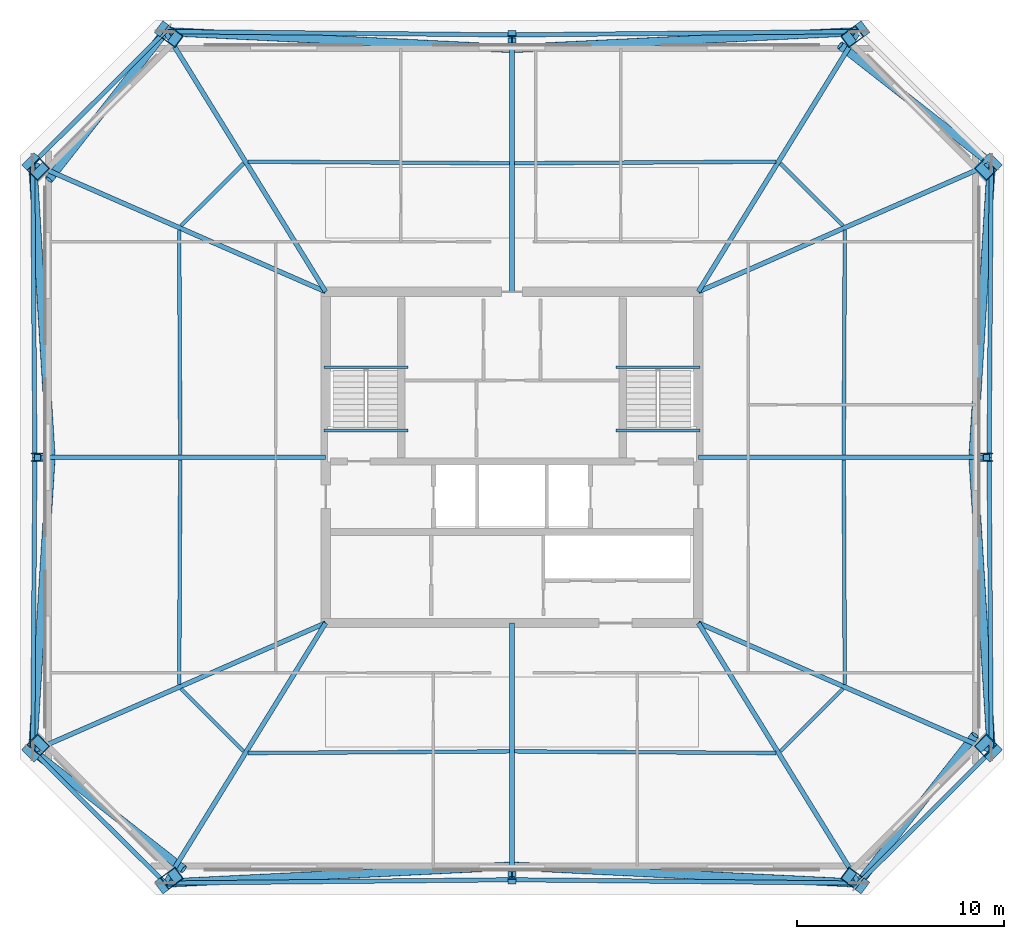
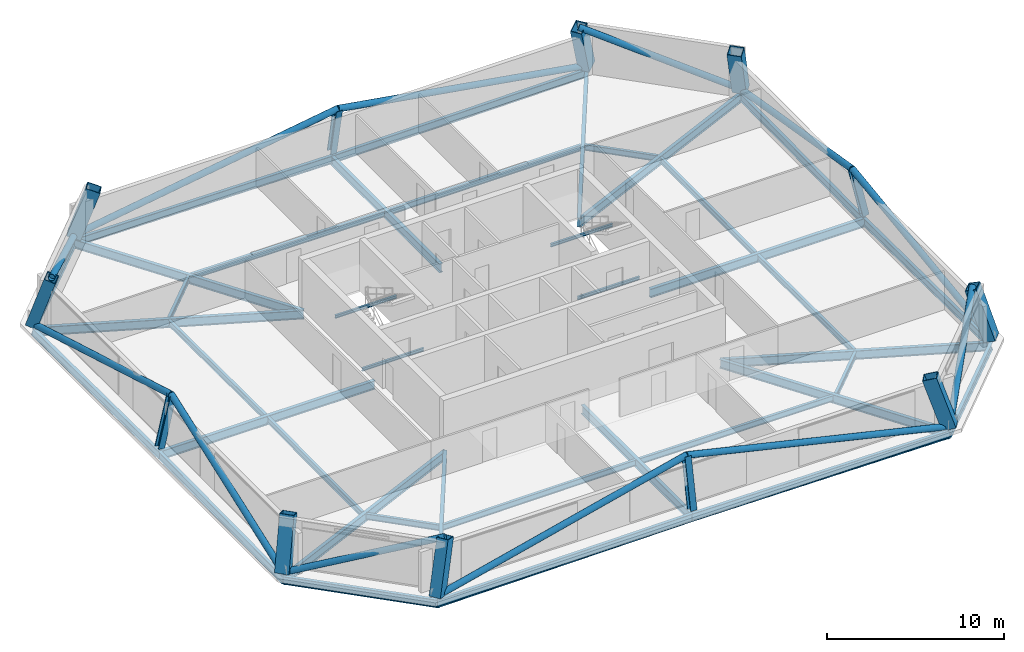
# One storey, part 1 of 6: 39 beams, 12 columns, 12 members.
"""IFC4 building model written with IfcOpenShell, lengths in metres."""

import ifcopenshell
import ifcopenshell.guid

model = None  # the IFC model being written
_history = None  # IfcOwnerHistory: only IFC2X3 demands one
_inside = {}  # id of a spatial element -> (the spatial element, [elements in it])
_under = {}  # id of a project, library or spatial element -> (it, [spatial elements below it])
_declared = {}  # id of a project -> (the project, [libraries it declares])
_typed = {}  # id of a type object -> (the type object, [elements of that type])
_made_of = {}  # id of a material, layer set ... -> (it, [elements and type objects made of it])


def new_model(schema):
    """Start an empty IFC model of exactly this schema.

    Asked for "IFC4X3", IfcOpenShell would pick the latest addendum, in which some entities
    have other attributes; the version numbers below select the first issue.
    IFC2X3 requires an IfcOwnerHistory on every rooted entity: one is made here for all.
    """
    global model, _history
    if schema == "IFC4X3":
        model = ifcopenshell.file(schema_version=(4, 3, 0, 0))
    else:
        model = ifcopenshell.file(schema=schema)
    _inside.clear()
    _under.clear()
    _declared.clear()
    _typed.clear()
    _made_of.clear()
    _history = None
    if model.schema == "IFC2X3":
        org = make("IfcOrganization", Name="unknown")
        user = make(
            "IfcPersonAndOrganization",
            ThePerson=make("IfcPerson", FamilyName="unknown"),
            TheOrganization=org,
        )
        app = make(
            "IfcApplication",
            ApplicationDeveloper=org,
            Version="unknown",
            ApplicationFullName="unknown",
            ApplicationIdentifier="unknown",
        )
        _history = make(
            "IfcOwnerHistory",
            OwningUser=user,
            OwningApplication=app,
            ChangeAction="ADDED",
            CreationDate=0,
        )
    return model


def make(cls, **values):
    """One entity of the class cls with the attributes given. An attribute that is None is left unset."""
    return model.create_entity(
        cls, **{name: value for name, value in values.items() if value is not None}
    )


def rooted(cls, **values):
    """An entity with a GlobalId (a new one), such as an element, a storey or a relation."""
    return make(cls, GlobalId=ifcopenshell.guid.new(), OwnerHistory=_history, **values)


def si_unit(unit_type, name, prefix=None):
    """IfcSIUnit, for example si_unit("LENGTHUNIT", "METRE", prefix="MILLI")."""
    return make("IfcSIUnit", UnitType=unit_type, Prefix=prefix, Name=name)


def assignment(units):
    """IfcUnitAssignment: the units of a project."""
    return None if units is None else make("IfcUnitAssignment", Units=units)


def point(xyz):
    """IfcCartesianPoint."""
    return None if xyz is None else make("IfcCartesianPoint", Coordinates=xyz)


def direction(xyz):
    """IfcDirection."""
    return None if xyz is None else make("IfcDirection", DirectionRatios=xyz)


def frame(location, z_axis=None, x_axis=None):
    """IfcAxis2Placement3D, a coordinate frame: its origin and axes. An axis left out is left unset."""
    return make(
        "IfcAxis2Placement3D",
        Location=point(location),
        Axis=direction(z_axis),
        RefDirection=direction(x_axis),
    )


def frame_2d(location, x_axis=None):
    """IfcAxis2Placement2D, a coordinate frame in the plane: its origin and x axis."""
    return make(
        "IfcAxis2Placement2D", Location=point(location), RefDirection=direction(x_axis)
    )


def origin():
    """The frame at (0, 0, 0) with its axes left unset."""
    return frame((0.0, 0.0, 0.0))


def origin_2d():
    """The frame at (0, 0) in the plane with its x axis left unset."""
    return frame_2d((0.0, 0.0))


def place(relative_to, where):
    """IfcLocalPlacement: puts the frame where relative to a parent placement (None: the world)."""
    return make(
        "IfcLocalPlacement", PlacementRelTo=relative_to, RelativePlacement=where
    )


def context(
    kind, dimensions, precision=None, world=None, true_north=None, identifier=None
):
    """IfcGeometricRepresentationContext, for example the 3D "Model" context."""
    return make(
        "IfcGeometricRepresentationContext",
        ContextIdentifier=identifier,
        ContextType=kind,
        CoordinateSpaceDimension=dimensions,
        Precision=precision,
        WorldCoordinateSystem=world,
        TrueNorth=true_north,
    )


def subcontext(parent, identifier, kind, view, scale=None):
    """IfcGeometricRepresentationSubContext, for example "Body" below "Model"."""
    return make(
        "IfcGeometricRepresentationSubContext",
        ContextIdentifier=identifier,
        ContextType=kind,
        ParentContext=parent,
        TargetScale=scale,
        TargetView=view,
    )


def project(units=None, contexts=None):
    """IfcProject with its units and contexts."""
    return rooted(
        "IfcProject",
        Name="project",
        RepresentationContexts=contexts,
        UnitsInContext=assignment(units),
    )


def spatial(cls, under=None, at=None, **own):
    """A site, building, storey or space (cls), placed at a placement, below another one or the project."""
    s = rooted(cls, ObjectPlacement=at, **own)
    if under is not None:
        _under.setdefault(under.id(), (under, []))[1].append(s)
    return s


def profile(cls, at=None, kind="AREA", **sizes):
    """A parametric profile (cls). Its sizes go by their IFC names, for example OverallWidth=200.0."""
    return make(cls, ProfileType=kind, Position=at, **sizes)


def hollow_rectangle(**sizes):
    """IfcRectangleHollowProfileDef."""
    return profile("IfcRectangleHollowProfileDef", **sizes)


def hollow_circle(**sizes):
    """IfcCircleHollowProfileDef."""
    return profile("IfcCircleHollowProfileDef", **sizes)


def i_section(**sizes):
    """IfcIShapeProfileDef."""
    return profile("IfcIShapeProfileDef", **sizes)


def extrude(swept, where, along, depth):
    """IfcExtrudedAreaSolid: the profile swept, set in the frame where, extruded along a direction by depth."""
    return make(
        "IfcExtrudedAreaSolid",
        SweptArea=swept,
        Position=where,
        ExtrudedDirection=direction(along),
        Depth=depth,
    )


def shape(context_of_items, identifier, shape_type, items):
    """IfcShapeRepresentation: the items that make up one representation, for example the "Body"."""
    return make(
        "IfcShapeRepresentation",
        ContextOfItems=context_of_items,
        RepresentationIdentifier=identifier,
        RepresentationType=shape_type,
        Items=items,
    )


def material(Name=None, Category=None):
    """IfcMaterial."""
    return make("IfcMaterial", Name=Name, Category=Category)


def material_profile(
    of_material, cross_section, Name=None, Category=None, Priority=None
):
    """IfcMaterialProfile: a cross section and its material."""
    return make(
        "IfcMaterialProfile",
        Name=Name,
        Material=of_material,
        Profile=cross_section,
        Priority=Priority,
        Category=Category,
    )


def profile_set(profiles, Name=None, composite=None):
    """IfcMaterialProfileSet."""
    return make(
        "IfcMaterialProfileSet",
        Name=Name,
        MaterialProfiles=profiles,
        CompositeProfile=composite,
    )


def made_of(thing, what):
    """Note that an element or type object is made of a material, layer set ...; save() writes the relation."""
    if what is not None:
        _made_of.setdefault(what.id(), (what, []))[1].append(thing)
    return thing


def type_object(cls, material=None, **own):
    """A type object (cls), such as IfcWallType, which elements share."""
    return made_of(rooted(cls, **own), material)


def element(
    cls,
    number,
    at=None,
    inside=None,
    cuts=None,
    type_object=None,
    material=None,
    context=None,
    identifier="Body",
    shape_type=None,
    held_by="IfcProductDefinitionShape",
    body=None,
    shapes=None,
    **own,
):
    """One element of the class cls, such as IfcWall. Its Tag is "e" and its number.

    at: its placement. inside: the storey or other place that contains it. cuts: it is an
    opening in that element (IfcRelVoidsElement). A single representation is given by context,
    identifier, shape_type and body (its items); several are given by shapes. held_by: the class
    of the entity that holds the representations. save() writes the other relations.
    """
    e = rooted(cls, Tag="e%d" % number, ObjectPlacement=at, **own)
    if body is not None:
        shapes = [shape(context, identifier, shape_type, body)]
    if shapes is not None:
        e.Representation = make(held_by, Representations=shapes)
    if inside is not None:
        _inside.setdefault(inside.id(), (inside, []))[1].append(e)
    if cuts is not None:
        rooted(
            "IfcRelVoidsElement", RelatingBuildingElement=cuts, RelatedOpeningElement=e
        )
    if type_object is not None:
        _typed.setdefault(type_object.id(), (type_object, []))[1].append(e)
    return made_of(e, material)


def aggregate(whole, parts):
    """IfcRelAggregates: a whole, such as a stair, and the parts it consists of."""
    return rooted("IfcRelAggregates", RelatingObject=whole, RelatedObjects=parts)


def save(model, path):
    """Write the relations noted so far, then the file.

    IfcRelAggregates (storeys below a building ...), IfcRelContainedInSpatialStructure (elements
    in a storey), IfcRelDefinesByType, IfcRelAssociatesMaterial and IfcRelDeclares: one each for
    every whole, place, type object, material and project.
    """
    for whole, parts in _under.values():
        aggregate(whole, parts)
    for where, things in _inside.values():
        rooted(
            "IfcRelContainedInSpatialStructure",
            RelatedElements=things,
            RelatingStructure=where,
        )
    for kind, things in _typed.values():
        rooted("IfcRelDefinesByType", RelatedObjects=things, RelatingType=kind)
    for what, things in _made_of.values():
        rooted("IfcRelAssociatesMaterial", RelatedObjects=things, RelatingMaterial=what)
    for by, libraries in _declared.values():
        rooted("IfcRelDeclares", RelatingContext=by, RelatedDefinitions=libraries)
    model.write(path)


model = new_model("IFC4")

# Units and contexts
model_context = context("Model", 3, precision=1e-05, world=origin(), true_north=direction((0.0, 1.0)))
body_context = subcontext(model_context, "Body", "Model", "MODEL_VIEW")
ifc_project = project(units=[si_unit("LENGTHUNIT", "METRE"), si_unit("AREAUNIT", "SQUARE_METRE"), si_unit("VOLUMEUNIT", "CUBIC_METRE"), si_unit("PLANEANGLEUNIT", "RADIAN"), si_unit("MASSUNIT", "GRAM", prefix="KILO")], contexts=[model_context])

# Site, building, storey
site_placement = place(None, origin())
site = spatial("IfcSite", under=ifc_project, at=site_placement, CompositionType="ELEMENT")
building_placement = place(site_placement, origin())
building = spatial("IfcBuilding", under=site, at=building_placement, Name="Caelvoria Tower", CompositionType="ELEMENT")
storey_placement = place(building_placement, frame((0.0, 0.0, 184.199951171875)))
storey = spatial("IfcBuildingStorey", under=building, at=storey_placement, Name="L48", CompositionType="ELEMENT", Elevation=184.199951171875)

# Columns
ifc_material_1 = material(Name="Structural Steel ASTM A572 Gr.50", Category="steel")
ifc_material_profile_1 = material_profile(ifc_material_1, hollow_rectangle(XDim=0.699951171875, YDim=0.85009765625, WallThickness=0.0400390625, at=origin_2d()), Name="Structural Steel ASTM A572 Gr.50")
ifc_profile_set_1 = profile_set([ifc_material_profile_1], Name="BOX850X700X40 - Structural Steel ASTM A572 Gr.50")
column_type_1 = type_object("IfcColumnType", Name="Mega Box Column 850x700x40", PredefinedType="COLUMN", material=ifc_profile_set_1)
for number, where, z_axis, x_axis, name in (
    (1, (29.254638671875, 11.438232421875, 0.0), (0.252686968591, 0.187893668889, 0.949128687321), (-0.596699148139, 0.802465031394, 0.0), "Perimeter Megaframe Column L48-P00"),
    (2, (62.745361328125, 11.438232421875, 0.0), (-0.252686968591, 0.187893668889, 0.949128687321), (-0.596699148139, -0.802465031394, 0.0), "Perimeter Megaframe Column L48-P02"),
):
    element("IfcColumn", number, at=place(storey_placement, frame(where, z_axis=z_axis, x_axis=x_axis)), inside=storey, type_object=column_type_1, Name=name, PredefinedType="COLUMN", context=body_context, shape_type="SweptSolid", body=[
        extrude(hollow_rectangle(XDim=0.699951171875, YDim=0.85009765625, WallThickness=0.0400390625, at=origin_2d()), origin(), (0.0, 0.0, 1.0), 3.5380859375),
    ])
for number, where, z_axis, x_axis, name in (
    (3, (69.14599609375, 17.816162109375, 0.0), (-0.221678120535, 0.219053075792, 0.950197116846), (0.67588069394, -0.66787712075, 0.311649545384), "Perimeter Megaframe Column L48-P03"),
    (4, (69.14599609375, 46.183837890625, 0.0), (-0.221678120535, -0.219053075792, 0.950197116846), (0.67588069394, 0.66787712075, 0.311649545384), "Perimeter Megaframe Column L48-P05"),
):
    element("IfcColumn", number, at=place(storey_placement, frame(where, z_axis=z_axis, x_axis=x_axis)), inside=storey, type_object=column_type_1, Name=name, PredefinedType="COLUMN", context=body_context, shape_type="SweptSolid", body=[
        extrude(hollow_rectangle(XDim=0.699951171875, YDim=0.85009765625, WallThickness=0.0400390625, at=origin_2d()), origin(), (0.0, 0.0, 1.0), 3.5341796875),
    ])
for number, where, z_axis, x_axis, name in (
    (5, (62.745361328125, 52.561767578125, 0.0), (-0.252686968591, -0.187893668889, 0.949128687321), (0.596699148139, -0.802465031394, 0.0), "Perimeter Megaframe Column L48-P06"),
    (6, (29.254638671875, 52.561767578125, 0.0), (0.252686968591, -0.187893668889, 0.949128687321), (0.596699148139, 0.802465031394, 0.0), "Perimeter Megaframe Column L48-P08"),
):
    element("IfcColumn", number, at=place(storey_placement, frame(where, z_axis=z_axis, x_axis=x_axis)), inside=storey, type_object=column_type_1, Name=name, PredefinedType="COLUMN", context=body_context, shape_type="SweptSolid", body=[
        extrude(hollow_rectangle(XDim=0.699951171875, YDim=0.85009765625, WallThickness=0.0400390625, at=origin_2d()), origin(), (0.0, 0.0, 1.0), 3.5380859375),
    ])
for number, where, z_axis, x_axis, name in (
    (7, (22.85400390625, 46.183837890625, 0.0), (0.221678120535, -0.219053075792, 0.950197116846), (-0.67588069394, 0.66787712075, 0.311649545384), "Perimeter Megaframe Column L48-P09"),
    (8, (22.85400390625, 17.816162109375, 0.0), (0.221678120535, 0.219053075792, 0.950197116846), (-0.67588069394, -0.66787712075, 0.311649545384), "Perimeter Megaframe Column L48-P11"),
):
    element("IfcColumn", number, at=place(storey_placement, frame(where, z_axis=z_axis, x_axis=x_axis)), inside=storey, type_object=column_type_1, Name=name, PredefinedType="COLUMN", context=body_context, shape_type="SweptSolid", body=[
        extrude(hollow_rectangle(XDim=0.699951171875, YDim=0.85009765625, WallThickness=0.0400390625, at=origin_2d()), origin(), (0.0, 0.0, 1.0), 3.5341796875),
    ])
ifc_material_2 = material(Name="Structural Steel ASTM A992 Gr.50", Category="steel")
ifc_material_profile_2 = material_profile(ifc_material_2, i_section(OverallWidth=0.406005859375, OverallDepth=0.425048828125, WebThickness=0.03271484375, FlangeThickness=0.052490234375, FilletRadius=0.02490234375, at=origin_2d()), Name="Structural Steel ASTM A992 Gr.50")
ifc_profile_set_2 = profile_set([ifc_material_profile_2], Name="W360X421 - Structural Steel ASTM A992 Gr.50")
column_type_2 = type_object("IfcColumnType", Name="Mid Frame Column W360X421", PredefinedType="COLUMN", material=ifc_profile_set_2)
column_1_placement = place(storey_placement, frame((46.0, 11.60009765625, 0.0), z_axis=(0.0, 0.192822575522, 0.981233639033), x_axis=(-1.0, 0.0, 0.0)))
element("IfcColumn", 9, at=column_1_placement, inside=storey, type_object=column_type_2, Name="Perimeter Megaframe Column L48-P01", PredefinedType="COLUMN", context=body_context, shape_type="SweptSolid", body=[
    extrude(i_section(OverallWidth=0.406005859375, OverallDepth=0.425048828125, WebThickness=0.03271484375, FlangeThickness=0.052490234375, FilletRadius=0.02490234375, at=origin_2d()), origin(), (0.0, 0.0, 1.0), 3.42236328125),
])
column_2_placement = place(storey_placement, frame((69.0400390625, 32.0, 0.0), z_axis=(-0.226255694856, 0.0, 0.974067944522), x_axis=(0.974067944522, 0.0, 0.226255694856)))
element("IfcColumn", 10, at=column_2_placement, inside=storey, type_object=column_type_2, Name="Perimeter Megaframe Column L48-P04", PredefinedType="COLUMN", context=body_context, shape_type="SweptSolid", body=[
    extrude(i_section(OverallWidth=0.406005859375, OverallDepth=0.425048828125, WebThickness=0.03271484375, FlangeThickness=0.052490234375, FilletRadius=0.02490234375, at=origin_2d()), origin(), (0.0, 0.0, 1.0), 3.447509765625),
])
column_3_placement = place(storey_placement, frame((46.0, 52.39990234375, 0.0), z_axis=(0.0, -0.192822575522, 0.981233639033), x_axis=(1.0, 0.0, 0.0)))
element("IfcColumn", 11, at=column_3_placement, inside=storey, type_object=column_type_2, Name="Perimeter Megaframe Column L48-P07", PredefinedType="COLUMN", context=body_context, shape_type="SweptSolid", body=[
    extrude(i_section(OverallWidth=0.406005859375, OverallDepth=0.425048828125, WebThickness=0.03271484375, FlangeThickness=0.052490234375, FilletRadius=0.02490234375, at=origin_2d()), origin(), (0.0, 0.0, 1.0), 3.42236328125),
])
column_4_placement = place(storey_placement, frame((22.9599609375, 32.0, 0.0), z_axis=(0.226255694856, 0.0, 0.974067944522), x_axis=(-0.974067944522, 0.0, 0.226255694856)))
element("IfcColumn", 12, at=column_4_placement, inside=storey, type_object=column_type_2, Name="Perimeter Megaframe Column L48-P10", PredefinedType="COLUMN", context=body_context, shape_type="SweptSolid", body=[
    extrude(i_section(OverallWidth=0.406005859375, OverallDepth=0.425048828125, WebThickness=0.03271484375, FlangeThickness=0.052490234375, FilletRadius=0.02490234375, at=origin_2d()), origin(), (0.0, 0.0, 1.0), 3.447509765625),
])

# Beams
ifc_material_profile_3 = material_profile(ifc_material_2, i_section(OverallWidth=0.134033203125, OverallDepth=0.2099609375, WebThickness=0.00634765625, FlangeThickness=0.01025390625, FilletRadius=0.010009765625, at=origin_2d()), Name="Structural Steel ASTM A992 Gr.50")
ifc_profile_set_3 = profile_set([ifc_material_profile_3], Name="W200X31.3 - Structural Steel ASTM A992 Gr.50")
beam_type_1 = type_object("IfcBeamType", Name="Canopy Edge Trim Beam W200X31.3", PredefinedType="BEAM", material=ifc_profile_set_3)
for number, where, z_axis, x_axis, name in (
    (13, (36.929931640625, 36.35009765625, 1.4951171875), (1.0, 0.0, 0.0), (0.0, 1.0, 0.0), "ST-01 Half-Landing Support Beam L48"),
    (14, (36.929931640625, 33.300048828125, -0.304931640625), (1.0, 0.0, 0.0), (0.0, 1.0, 0.0), "ST-01 Floor-Landing Support Beam L48"),
    (15, (51.030029296875, 36.35009765625, 1.4951171875), (1.0, 0.0, 0.0), (0.0, 1.0, 0.0), "ST-02 Half-Landing Support Beam L48"),
    (16, (51.030029296875, 33.300048828125, -0.304931640625), (1.0, 0.0, 0.0), (0.0, 1.0, 0.0), "ST-02 Floor-Landing Support Beam L48"),
):
    element("IfcBeam", number, at=place(storey_placement, frame(where, z_axis=z_axis, x_axis=x_axis)), inside=storey, type_object=beam_type_1, Name=name, PredefinedType="BEAM", context=body_context, shape_type="SweptSolid", body=[
        extrude(i_section(OverallWidth=0.134033203125, OverallDepth=0.2099609375, WebThickness=0.00634765625, FlangeThickness=0.01025390625, FilletRadius=0.010009765625, at=origin_2d()), origin(), (0.0, 0.0, 1.0), 4.0400390625),
    ])
ifc_material_profile_4 = material_profile(ifc_material_2, i_section(OverallWidth=0.22802734375, OverallDepth=0.60302734375, WebThickness=0.010498046875, FlangeThickness=0.014892578125, FilletRadius=0.01806640625, at=origin_2d()), Name="Structural Steel ASTM A992 Gr.50")
ifc_profile_set_4 = profile_set([ifc_material_profile_4], Name="W610X101 - Structural Steel ASTM A992 Gr.50")
beam_type_2 = type_object("IfcBeamType", Name="Primary Floor Girder W610X101", PredefinedType="BEAM", material=ifc_profile_set_4)
beam_1_placement = place(storey_placement, frame((37.0, 24.0, -0.54150390625), z_axis=(-0.524836565111, -0.851203019216, 0.0), x_axis=(0.851203019216, -0.524836565111, 0.0)))
element("IfcBeam", 17, at=beam_1_placement, inside=storey, type_object=beam_type_2, Name="Primary Floor Girder L48-00", PredefinedType="BEAM", context=body_context, shape_type="SweptSolid", body=[
    extrude(i_section(OverallWidth=0.22802734375, OverallDepth=0.60302734375, WebThickness=0.010498046875, FlangeThickness=0.014892578125, FilletRadius=0.01806640625, at=origin_2d()), origin(), (0.0, 0.0, 1.0), 14.757568359375),
])
beam_2_placement = place(storey_placement, frame((46.0, 24.0, -0.54150390625), z_axis=(0.0, -1.0, 0.0), x_axis=(1.0, 0.0, 0.0)))
element("IfcBeam", 18, at=beam_2_placement, inside=storey, type_object=beam_type_2, Name="Primary Floor Girder L48-01", PredefinedType="BEAM", context=body_context, shape_type="SweptSolid", body=[
    extrude(i_section(OverallWidth=0.22802734375, OverallDepth=0.60302734375, WebThickness=0.010498046875, FlangeThickness=0.014892578125, FilletRadius=0.01806640625, at=origin_2d()), origin(), (0.0, 0.0, 1.0), 12.39990234375),
])
beam_3_placement = place(storey_placement, frame((55.0, 24.0, -0.54150390625), z_axis=(0.524836565111, -0.851203019216, 0.0), x_axis=(0.851203019216, 0.524836565111, 0.0)))
element("IfcBeam", 19, at=beam_3_placement, inside=storey, type_object=beam_type_2, Name="Primary Floor Girder L48-02", PredefinedType="BEAM", context=body_context, shape_type="SweptSolid", body=[
    extrude(i_section(OverallWidth=0.22802734375, OverallDepth=0.60302734375, WebThickness=0.010498046875, FlangeThickness=0.014892578125, FilletRadius=0.01806640625, at=origin_2d()), origin(), (0.0, 0.0, 1.0), 14.757568359375),
])
beam_4_placement = place(storey_placement, frame((55.0, 24.0, -0.54150390625), z_axis=(0.916277063291, -0.400545057749, 0.0), x_axis=(0.400545057749, 0.916277063291, 0.0)))
element("IfcBeam", 20, at=beam_4_placement, inside=storey, type_object=beam_type_2, Name="Primary Floor Girder L48-03", PredefinedType="BEAM", context=body_context, shape_type="SweptSolid", body=[
    extrude(i_section(OverallWidth=0.22802734375, OverallDepth=0.60302734375, WebThickness=0.010498046875, FlangeThickness=0.014892578125, FilletRadius=0.01806640625, at=origin_2d()), origin(), (0.0, 0.0, 1.0), 15.4384765625),
])
beam_5_placement = place(storey_placement, frame((55.0, 32.0, -0.54150390625), z_axis=(1.0, 0.0, 0.0), x_axis=(0.0, 1.0, 0.0)))
element("IfcBeam", 21, at=beam_5_placement, inside=storey, type_object=beam_type_2, Name="Primary Floor Girder L48-04", PredefinedType="BEAM", context=body_context, shape_type="SweptSolid", body=[
    extrude(i_section(OverallWidth=0.22802734375, OverallDepth=0.60302734375, WebThickness=0.010498046875, FlangeThickness=0.014892578125, FilletRadius=0.01806640625, at=origin_2d()), origin(), (0.0, 0.0, 1.0), 14.0400390625),
])
beam_6_placement = place(storey_placement, frame((55.0, 40.0, -0.54150390625), z_axis=(0.916277063291, 0.400545057749, 0.0), x_axis=(-0.400545057749, 0.916277063291, 0.0)))
element("IfcBeam", 22, at=beam_6_placement, inside=storey, type_object=beam_type_2, Name="Primary Floor Girder L48-05", PredefinedType="BEAM", context=body_context, shape_type="SweptSolid", body=[
    extrude(i_section(OverallWidth=0.22802734375, OverallDepth=0.60302734375, WebThickness=0.010498046875, FlangeThickness=0.014892578125, FilletRadius=0.01806640625, at=origin_2d()), origin(), (0.0, 0.0, 1.0), 15.4384765625),
])
beam_7_placement = place(storey_placement, frame((55.0, 40.0, -0.54150390625), z_axis=(0.524836565111, 0.851203019216, 0.0), x_axis=(-0.851203019216, 0.524836565111, 0.0)))
element("IfcBeam", 23, at=beam_7_placement, inside=storey, type_object=beam_type_2, Name="Primary Floor Girder L48-06", PredefinedType="BEAM", context=body_context, shape_type="SweptSolid", body=[
    extrude(i_section(OverallWidth=0.22802734375, OverallDepth=0.60302734375, WebThickness=0.010498046875, FlangeThickness=0.014892578125, FilletRadius=0.01806640625, at=origin_2d()), origin(), (0.0, 0.0, 1.0), 14.757568359375),
])
beam_8_placement = place(storey_placement, frame((46.0, 40.0, -0.54150390625), z_axis=(0.0, 1.0, 0.0), x_axis=(-1.0, 0.0, 0.0)))
element("IfcBeam", 24, at=beam_8_placement, inside=storey, type_object=beam_type_2, Name="Primary Floor Girder L48-07", PredefinedType="BEAM", context=body_context, shape_type="SweptSolid", body=[
    extrude(i_section(OverallWidth=0.22802734375, OverallDepth=0.60302734375, WebThickness=0.010498046875, FlangeThickness=0.014892578125, FilletRadius=0.01806640625, at=origin_2d()), origin(), (0.0, 0.0, 1.0), 12.39990234375),
])
beam_9_placement = place(storey_placement, frame((37.0, 40.0, -0.54150390625), z_axis=(-0.524836565111, 0.851203019216, 0.0), x_axis=(-0.851203019216, -0.524836565111, 0.0)))
element("IfcBeam", 25, at=beam_9_placement, inside=storey, type_object=beam_type_2, Name="Primary Floor Girder L48-08", PredefinedType="BEAM", context=body_context, shape_type="SweptSolid", body=[
    extrude(i_section(OverallWidth=0.22802734375, OverallDepth=0.60302734375, WebThickness=0.010498046875, FlangeThickness=0.014892578125, FilletRadius=0.01806640625, at=origin_2d()), origin(), (0.0, 0.0, 1.0), 14.757568359375),
])
beam_10_placement = place(storey_placement, frame((37.0, 40.0, -0.54150390625), z_axis=(-0.916277063291, 0.400545057749, 0.0), x_axis=(-0.400545057749, -0.916277063291, 0.0)))
element("IfcBeam", 26, at=beam_10_placement, inside=storey, type_object=beam_type_2, Name="Primary Floor Girder L48-09", PredefinedType="BEAM", context=body_context, shape_type="SweptSolid", body=[
    extrude(i_section(OverallWidth=0.22802734375, OverallDepth=0.60302734375, WebThickness=0.010498046875, FlangeThickness=0.014892578125, FilletRadius=0.01806640625, at=origin_2d()), origin(), (0.0, 0.0, 1.0), 15.4384765625),
])
beam_11_placement = place(storey_placement, frame((37.0, 32.0, -0.54150390625), z_axis=(-1.0, 0.0, 0.0), x_axis=(0.0, -1.0, 0.0)))
element("IfcBeam", 27, at=beam_11_placement, inside=storey, type_object=beam_type_2, Name="Primary Floor Girder L48-10", PredefinedType="BEAM", context=body_context, shape_type="SweptSolid", body=[
    extrude(i_section(OverallWidth=0.22802734375, OverallDepth=0.60302734375, WebThickness=0.010498046875, FlangeThickness=0.014892578125, FilletRadius=0.01806640625, at=origin_2d()), origin(), (0.0, 0.0, 1.0), 14.0400390625),
])
beam_12_placement = place(storey_placement, frame((37.0, 24.0, -0.54150390625), z_axis=(-0.916277063291, -0.400545057749, 0.0), x_axis=(0.400545057749, -0.916277063291, 0.0)))
element("IfcBeam", 28, at=beam_12_placement, inside=storey, type_object=beam_type_2, Name="Primary Floor Girder L48-11", PredefinedType="BEAM", context=body_context, shape_type="SweptSolid", body=[
    extrude(i_section(OverallWidth=0.22802734375, OverallDepth=0.60302734375, WebThickness=0.010498046875, FlangeThickness=0.014892578125, FilletRadius=0.01806640625, at=origin_2d()), origin(), (0.0, 0.0, 1.0), 15.4384765625),
])
ifc_material_profile_5 = material_profile(ifc_material_2, i_section(OverallWidth=0.177978515625, OverallDepth=0.406982421875, WebThickness=0.0078125, FlangeThickness=0.0126953125, FilletRadius=0.013916015625, at=origin_2d()), Name="Structural Steel ASTM A992 Gr.50")
ifc_profile_set_5 = profile_set([ifc_material_profile_5], Name="W410X60 - Structural Steel ASTM A992 Gr.50")
beam_type_3 = type_object("IfcBeamType", Name="Secondary Floor Beam W410X60", PredefinedType="BEAM", material=ifc_profile_set_5)
for number, where, z_axis, x_axis, name in (
    (29, (33.252197265625, 17.719970703125, -0.443359375), (0.999980244302, 0.00628577799, 0.0), (-0.00628577799, 0.999980244302, 0.0), "Secondary Floor Beam L48-00"),
    (30, (46.125, 17.79931640625, -0.443359375), (0.999980244302, -0.00628577799, 0.0), (0.00628577799, 0.999980244302, 0.0), "Secondary Floor Beam L48-01"),
):
    element("IfcBeam", number, at=place(storey_placement, frame(where, z_axis=z_axis, x_axis=x_axis)), inside=storey, type_object=beam_type_3, Name=name, PredefinedType="BEAM", context=body_context, shape_type="SweptSolid", body=[
        extrude(i_section(OverallWidth=0.177978515625, OverallDepth=0.406982421875, WebThickness=0.0078125, FlangeThickness=0.0126953125, FilletRadius=0.013916015625, at=origin_2d()), origin(), (0.0, 0.0, 1.0), 12.623046875),
    ])
beam_13_placement = place(storey_placement, frame((58.961181640625, 17.807373046875, -0.443359375), z_axis=(0.708392660482, 0.705818559245, 0.0), x_axis=(-0.705818559245, 0.708392660482, 0.0)))
element("IfcBeam", 31, at=beam_13_placement, inside=storey, type_object=beam_type_3, Name="Secondary Floor Beam L48-02", PredefinedType="BEAM", context=body_context, shape_type="SweptSolid", body=[
    extrude(i_section(OverallWidth=0.177978515625, OverallDepth=0.406982421875, WebThickness=0.0078125, FlangeThickness=0.0126953125, FilletRadius=0.013916015625, at=origin_2d()), origin(), (0.0, 0.0, 1.0), 4.26806640625),
])
for number, where, z_axis, x_axis, name in (
    (32, (62.072509765625, 21.033203125, -0.443359375), (-0.004796377903, 0.999988497313, 0.0), (-0.999988497313, -0.004796377903, 0.0), "Secondary Floor Beam L48-03"),
    (33, (62.0205078125, 32.125, -0.443359375), (0.004796377903, 0.999988497313, 0.0), (-0.999988497313, 0.004796377903, 0.0), "Secondary Floor Beam L48-04"),
):
    element("IfcBeam", number, at=place(storey_placement, frame(where, z_axis=z_axis, x_axis=x_axis)), inside=storey, type_object=beam_type_3, Name=name, PredefinedType="BEAM", context=body_context, shape_type="SweptSolid", body=[
        extrude(i_section(OverallWidth=0.177978515625, OverallDepth=0.406982421875, WebThickness=0.0078125, FlangeThickness=0.0126953125, FilletRadius=0.013916015625, at=origin_2d()), origin(), (0.0, 0.0, 1.0), 10.842041015625),
    ])
beam_14_placement = place(storey_placement, frame((61.984619140625, 43.18017578125, -0.443359375), z_axis=(-0.708392660482, 0.705818559245, 0.0), x_axis=(-0.705818559245, -0.708392660482, 0.0)))
element("IfcBeam", 34, at=beam_14_placement, inside=storey, type_object=beam_type_3, Name="Secondary Floor Beam L48-05", PredefinedType="BEAM", context=body_context, shape_type="SweptSolid", body=[
    extrude(i_section(OverallWidth=0.177978515625, OverallDepth=0.406982421875, WebThickness=0.0078125, FlangeThickness=0.0126953125, FilletRadius=0.013916015625, at=origin_2d()), origin(), (0.0, 0.0, 1.0), 4.26806640625),
])
for number, where, z_axis, x_axis, name in (
    (35, (58.747802734375, 46.280029296875, -0.443359375), (-0.999980244302, -0.00628577799, 0.0), (0.00628577799, -0.999980244302, 0.0), "Secondary Floor Beam L48-06"),
    (36, (45.875, 46.20068359375, -0.443359375), (-0.999980244302, 0.00628577799, 0.0), (-0.00628577799, -0.999980244302, 0.0), "Secondary Floor Beam L48-07"),
):
    element("IfcBeam", number, at=place(storey_placement, frame(where, z_axis=z_axis, x_axis=x_axis)), inside=storey, type_object=beam_type_3, Name=name, PredefinedType="BEAM", context=body_context, shape_type="SweptSolid", body=[
        extrude(i_section(OverallWidth=0.177978515625, OverallDepth=0.406982421875, WebThickness=0.0078125, FlangeThickness=0.0126953125, FilletRadius=0.013916015625, at=origin_2d()), origin(), (0.0, 0.0, 1.0), 12.623046875),
    ])
beam_15_placement = place(storey_placement, frame((33.038818359375, 46.192626953125, -0.443359375), z_axis=(-0.708392660482, -0.705818559245, 0.0), x_axis=(0.705818559245, -0.708392660482, 0.0)))
element("IfcBeam", 37, at=beam_15_placement, inside=storey, type_object=beam_type_3, Name="Secondary Floor Beam L48-08", PredefinedType="BEAM", context=body_context, shape_type="SweptSolid", body=[
    extrude(i_section(OverallWidth=0.177978515625, OverallDepth=0.406982421875, WebThickness=0.0078125, FlangeThickness=0.0126953125, FilletRadius=0.013916015625, at=origin_2d()), origin(), (0.0, 0.0, 1.0), 4.26806640625),
])
for number, where, z_axis, x_axis, name in (
    (38, (29.927490234375, 42.966796875, -0.443359375), (0.004796377903, -0.999988497313, 0.0), (0.999988497313, 0.004796377903, 0.0), "Secondary Floor Beam L48-09"),
    (39, (29.9794921875, 31.875, -0.443359375), (-0.004796377903, -0.999988497313, 0.0), (0.999988497313, -0.004796377903, 0.0), "Secondary Floor Beam L48-10"),
):
    element("IfcBeam", number, at=place(storey_placement, frame(where, z_axis=z_axis, x_axis=x_axis)), inside=storey, type_object=beam_type_3, Name=name, PredefinedType="BEAM", context=body_context, shape_type="SweptSolid", body=[
        extrude(i_section(OverallWidth=0.177978515625, OverallDepth=0.406982421875, WebThickness=0.0078125, FlangeThickness=0.0126953125, FilletRadius=0.013916015625, at=origin_2d()), origin(), (0.0, 0.0, 1.0), 10.842041015625),
    ])
beam_16_placement = place(storey_placement, frame((30.015380859375, 20.81982421875, -0.443359375), z_axis=(0.708392660482, -0.705818559245, 0.0), x_axis=(0.705818559245, 0.708392660482, 0.0)))
element("IfcBeam", 40, at=beam_16_placement, inside=storey, type_object=beam_type_3, Name="Secondary Floor Beam L48-11", PredefinedType="BEAM", context=body_context, shape_type="SweptSolid", body=[
    extrude(i_section(OverallWidth=0.177978515625, OverallDepth=0.406982421875, WebThickness=0.0078125, FlangeThickness=0.0126953125, FilletRadius=0.013916015625, at=origin_2d()), origin(), (0.0, 0.0, 1.0), 4.26806640625),
])

# Members
ifc_material_profile_6 = material_profile(ifc_material_1, hollow_circle(Radius=0.202880859375, WallThickness=0.01611328125, at=origin_2d()), Name="Structural Steel ASTM A572 Gr.50")
ifc_profile_set_6 = profile_set([ifc_material_profile_6], Name="CHS406X16 - Structural Steel ASTM A572 Gr.50")
member_type = type_object("IfcMemberType", Name="Upper Perimeter Mega Brace CHS406X16", PredefinedType="BRACE", material=ifc_profile_set_6)
member_1_placement = place(storey_placement, frame((62.745361328125, 11.438232421875, 0.0), z_axis=(0.579382071202, 0.737699833792, 0.346576644904), x_axis=(-0.786442219324, 0.617663853293, 0.0)))
element("IfcMember", 41, at=member_1_placement, inside=storey, type_object=member_type, Name="Perimeter Chamfer Mega Brace L48 SE", PredefinedType="BRACE", context=body_context, shape_type="SweptSolid", body=[
    extrude(hollow_circle(Radius=0.202880859375, WallThickness=0.01611328125, at=origin_2d()), origin(), (0.0, 0.0, 1.0), 9.695068359375),
])
member_2_placement = place(storey_placement, frame((69.14599609375, 46.183837890625, 0.0), z_axis=(-0.740118656202, 0.579655164958, 0.340916799937), x_axis=(-0.616593118037, -0.787281986831, 0.0)))
element("IfcMember", 42, at=member_2_placement, inside=storey, type_object=member_type, Name="Perimeter Chamfer Mega Brace L48 NE", PredefinedType="BRACE", context=body_context, shape_type="SweptSolid", body=[
    extrude(hollow_circle(Radius=0.202880859375, WallThickness=0.01611328125, at=origin_2d()), origin(), (0.0, 0.0, 1.0), 9.856201171875),
])
member_3_placement = place(storey_placement, frame((29.254638671875, 52.561767578125, 0.0), z_axis=(-0.579382071202, -0.737699833792, 0.346576644904), x_axis=(0.786442219324, -0.617663853293, 0.0)))
element("IfcMember", 43, at=member_3_placement, inside=storey, type_object=member_type, Name="Perimeter Chamfer Mega Brace L48 NW", PredefinedType="BRACE", context=body_context, shape_type="SweptSolid", body=[
    extrude(hollow_circle(Radius=0.202880859375, WallThickness=0.01611328125, at=origin_2d()), origin(), (0.0, 0.0, 1.0), 9.695068359375),
])
member_4_placement = place(storey_placement, frame((22.85400390625, 17.816162109375, 0.0), z_axis=(0.740118656202, -0.579655164958, 0.340916799937), x_axis=(0.616593118037, 0.787281986831, 0.0)))
element("IfcMember", 44, at=member_4_placement, inside=storey, type_object=member_type, Name="Perimeter Chamfer Mega Brace L48 SW", PredefinedType="BRACE", context=body_context, shape_type="SweptSolid", body=[
    extrude(hollow_circle(Radius=0.202880859375, WallThickness=0.01611328125, at=origin_2d()), origin(), (0.0, 0.0, 1.0), 9.856201171875),
])
for number, where, z_axis, x_axis, name in (
    (45, (29.254638671875, 11.438232421875, 0.0), (0.979323249553, 0.048060214582, 0.196510021776), (-0.049015936324, 0.998797996587, 0.0), "Perimeter Cardinal Mega Brace L48 SA"),
    (46, (62.745361328125, 11.438232421875, 0.0), (-0.979323249553, 0.048060214582, 0.196510021776), (-0.049015936324, -0.998797996587, 0.0), "Perimeter Cardinal Mega Brace L48 SB"),
):
    element("IfcMember", number, at=place(storey_placement, frame(where, z_axis=z_axis, x_axis=x_axis)), inside=storey, type_object=member_type, Name=name, PredefinedType="BRACE", context=body_context, shape_type="SweptSolid", body=[
        extrude(hollow_circle(Radius=0.202880859375, WallThickness=0.01611328125, at=origin_2d()), origin(), (0.0, 0.0, 1.0), 17.098876953125),
    ])
for number, where, z_axis, x_axis, name in (
    (47, (69.14599609375, 17.816162109375, 0.0), (-0.060670256316, 0.971275800818, 0.230092239645), (-0.998054783737, -0.062342992068, 0.0), "Perimeter Cardinal Mega Brace L48 EA"),
    (48, (69.14599609375, 46.183837890625, 0.0), (-0.060670256316, -0.971275800818, 0.230092239645), (0.998054783737, -0.062342992068, 0.0), "Perimeter Cardinal Mega Brace L48 EB"),
):
    element("IfcMember", number, at=place(storey_placement, frame(where, z_axis=z_axis, x_axis=x_axis)), inside=storey, type_object=member_type, Name=name, PredefinedType="BRACE", context=body_context, shape_type="SweptSolid", body=[
        extrude(hollow_circle(Radius=0.202880859375, WallThickness=0.01611328125, at=origin_2d()), origin(), (0.0, 0.0, 1.0), 14.603271484375),
    ])
for number, where, z_axis, x_axis, name in (
    (49, (62.745361328125, 52.561767578125, 0.0), (-0.979323249553, -0.048060214582, 0.196510021776), (0.049015936324, -0.998797996587, 0.0), "Perimeter Cardinal Mega Brace L48 NA"),
    (50, (29.254638671875, 52.561767578125, 0.0), (0.979323249553, -0.048060214582, 0.196510021776), (0.049015936324, 0.998797996587, 0.0), "Perimeter Cardinal Mega Brace L48 NB"),
):
    element("IfcMember", number, at=place(storey_placement, frame(where, z_axis=z_axis, x_axis=x_axis)), inside=storey, type_object=member_type, Name=name, PredefinedType="BRACE", context=body_context, shape_type="SweptSolid", body=[
        extrude(hollow_circle(Radius=0.202880859375, WallThickness=0.01611328125, at=origin_2d()), origin(), (0.0, 0.0, 1.0), 17.098876953125),
    ])
for number, where, z_axis, x_axis, name in (
    (51, (22.85400390625, 46.183837890625, 0.0), (0.060670256316, -0.971275800818, 0.230092239645), (0.998054783737, 0.062342992068, 0.0), "Perimeter Cardinal Mega Brace L48 WA"),
    (52, (22.85400390625, 17.816162109375, 0.0), (0.060670256316, 0.971275800818, 0.230092239645), (-0.998054783737, 0.062342992068, 0.0), "Perimeter Cardinal Mega Brace L48 WB"),
):
    element("IfcMember", number, at=place(storey_placement, frame(where, z_axis=z_axis, x_axis=x_axis)), inside=storey, type_object=member_type, Name=name, PredefinedType="BRACE", context=body_context, shape_type="SweptSolid", body=[
        extrude(hollow_circle(Radius=0.202880859375, WallThickness=0.01611328125, at=origin_2d()), origin(), (0.0, 0.0, 1.0), 14.603271484375),
    ])

# Beams
ifc_material_profile_7 = material_profile(ifc_material_2, i_section(OverallWidth=0.208984375, OverallDepth=0.532958984375, WebThickness=0.01025390625, FlangeThickness=0.015625, FilletRadius=0.01611328125, at=origin_2d()), Name="Structural Steel ASTM A992 Gr.50")
ifc_profile_set_7 = profile_set([ifc_material_profile_7], Name="W530X92 - Structural Steel ASTM A992 Gr.50")
beam_type_4 = type_object("IfcBeamType", Name="Upper Zone Spandrel W530X92", PredefinedType="BEAM", material=ifc_profile_set_7)
for number, where, z_axis, x_axis, name in (
    (53, (29.254638671875, 11.438232421875, -0.50634765625), (0.999953284857, 0.009665821456, 0.0), (-0.009665821456, 0.999953284857, 0.0), "Perimeter Spandrel Girder L48-00"),
    (54, (46.0, 11.60009765625, -0.50634765625), (0.999953284857, -0.009665821456, 0.0), (0.009665821456, 0.999953284857, 0.0), "Perimeter Spandrel Girder L48-01"),
):
    element("IfcBeam", number, at=place(storey_placement, frame(where, z_axis=z_axis, x_axis=x_axis)), inside=storey, type_object=beam_type_4, Name=name, PredefinedType="BEAM", context=body_context, shape_type="SweptSolid", body=[
        extrude(i_section(OverallWidth=0.208984375, OverallDepth=0.532958984375, WebThickness=0.01025390625, FlangeThickness=0.015625, FilletRadius=0.01611328125, at=origin_2d()), origin(), (0.0, 0.0, 1.0), 16.74609375),
    ])
beam_17_placement = place(storey_placement, frame((62.745361328125, 11.438232421875, -0.50634765625), z_axis=(0.708362057254, 0.705849272751, 0.0), x_axis=(-0.705849272751, 0.708362057254, 0.0)))
element("IfcBeam", 55, at=beam_17_placement, inside=storey, type_object=beam_type_4, Name="Perimeter Spandrel Girder L48-02", PredefinedType="BEAM", context=body_context, shape_type="SweptSolid", body=[
    extrude(i_section(OverallWidth=0.208984375, OverallDepth=0.532958984375, WebThickness=0.01025390625, FlangeThickness=0.015625, FilletRadius=0.01611328125, at=origin_2d()), origin(), (0.0, 0.0, 1.0), 9.035888671875),
])
for number, where, z_axis, x_axis, name in (
    (56, (69.14599609375, 17.816162109375, -0.50634765625), (-0.007470056816, 0.999972098736, 0.0), (-0.999972098736, -0.007470056816, 0.0), "Perimeter Spandrel Girder L48-03"),
    (57, (69.0400390625, 32.0, -0.50634765625), (0.007470056816, 0.999972098736, 0.0), (-0.999972098736, 0.007470056816, 0.0), "Perimeter Spandrel Girder L48-04"),
):
    element("IfcBeam", number, at=place(storey_placement, frame(where, z_axis=z_axis, x_axis=x_axis)), inside=storey, type_object=beam_type_4, Name=name, PredefinedType="BEAM", context=body_context, shape_type="SweptSolid", body=[
        extrude(i_section(OverallWidth=0.208984375, OverallDepth=0.532958984375, WebThickness=0.01025390625, FlangeThickness=0.015625, FilletRadius=0.01611328125, at=origin_2d()), origin(), (0.0, 0.0, 1.0), 14.184326171875),
    ])
for number, where, z_axis, x_axis, name in (
    (58, (62.745361328125, 52.561767578125, -0.50634765625), (-0.999953284857, -0.009665821456, 0.0), (0.009665821456, -0.999953284857, 0.0), "Perimeter Spandrel Girder L48-06"),
    (59, (46.0, 52.39990234375, -0.50634765625), (-0.999953284857, 0.009665821456, 0.0), (-0.009665821456, -0.999953284857, 0.0), "Perimeter Spandrel Girder L48-07"),
):
    element("IfcBeam", number, at=place(storey_placement, frame(where, z_axis=z_axis, x_axis=x_axis)), inside=storey, type_object=beam_type_4, Name=name, PredefinedType="BEAM", context=body_context, shape_type="SweptSolid", body=[
        extrude(i_section(OverallWidth=0.208984375, OverallDepth=0.532958984375, WebThickness=0.01025390625, FlangeThickness=0.015625, FilletRadius=0.01611328125, at=origin_2d()), origin(), (0.0, 0.0, 1.0), 16.74609375),
    ])
beam_18_placement = place(storey_placement, frame((29.254638671875, 52.561767578125, -0.50634765625), z_axis=(-0.708362057254, -0.705849272751, 0.0), x_axis=(0.705849272751, -0.708362057254, 0.0)))
element("IfcBeam", 60, at=beam_18_placement, inside=storey, type_object=beam_type_4, Name="Perimeter Spandrel Girder L48-08", PredefinedType="BEAM", context=body_context, shape_type="SweptSolid", body=[
    extrude(i_section(OverallWidth=0.208984375, OverallDepth=0.532958984375, WebThickness=0.01025390625, FlangeThickness=0.015625, FilletRadius=0.01611328125, at=origin_2d()), origin(), (0.0, 0.0, 1.0), 9.035888671875),
])
for number, where, z_axis, x_axis, name in (
    (61, (22.85400390625, 46.183837890625, -0.50634765625), (0.007470056816, -0.999972098736, 0.0), (0.999972098736, 0.007470056816, 0.0), "Perimeter Spandrel Girder L48-09"),
    (62, (22.9599609375, 32.0, -0.50634765625), (-0.007470056816, -0.999972098736, 0.0), (0.999972098736, -0.007470056816, 0.0), "Perimeter Spandrel Girder L48-10"),
):
    element("IfcBeam", number, at=place(storey_placement, frame(where, z_axis=z_axis, x_axis=x_axis)), inside=storey, type_object=beam_type_4, Name=name, PredefinedType="BEAM", context=body_context, shape_type="SweptSolid", body=[
        extrude(i_section(OverallWidth=0.208984375, OverallDepth=0.532958984375, WebThickness=0.01025390625, FlangeThickness=0.015625, FilletRadius=0.01611328125, at=origin_2d()), origin(), (0.0, 0.0, 1.0), 14.184326171875),
    ])
beam_19_placement = place(storey_placement, frame((22.85400390625, 17.816162109375, -0.50634765625), z_axis=(0.708362057254, -0.705849272751, 0.0), x_axis=(0.705849272751, 0.708362057254, 0.0)))
element("IfcBeam", 63, at=beam_19_placement, inside=storey, type_object=beam_type_4, Name="Perimeter Spandrel Girder L48-11", PredefinedType="BEAM", context=body_context, shape_type="SweptSolid", body=[
    extrude(i_section(OverallWidth=0.208984375, OverallDepth=0.532958984375, WebThickness=0.01025390625, FlangeThickness=0.015625, FilletRadius=0.01611328125, at=origin_2d()), origin(), (0.0, 0.0, 1.0), 9.035888671875),
])

save(model, "model.ifc")
